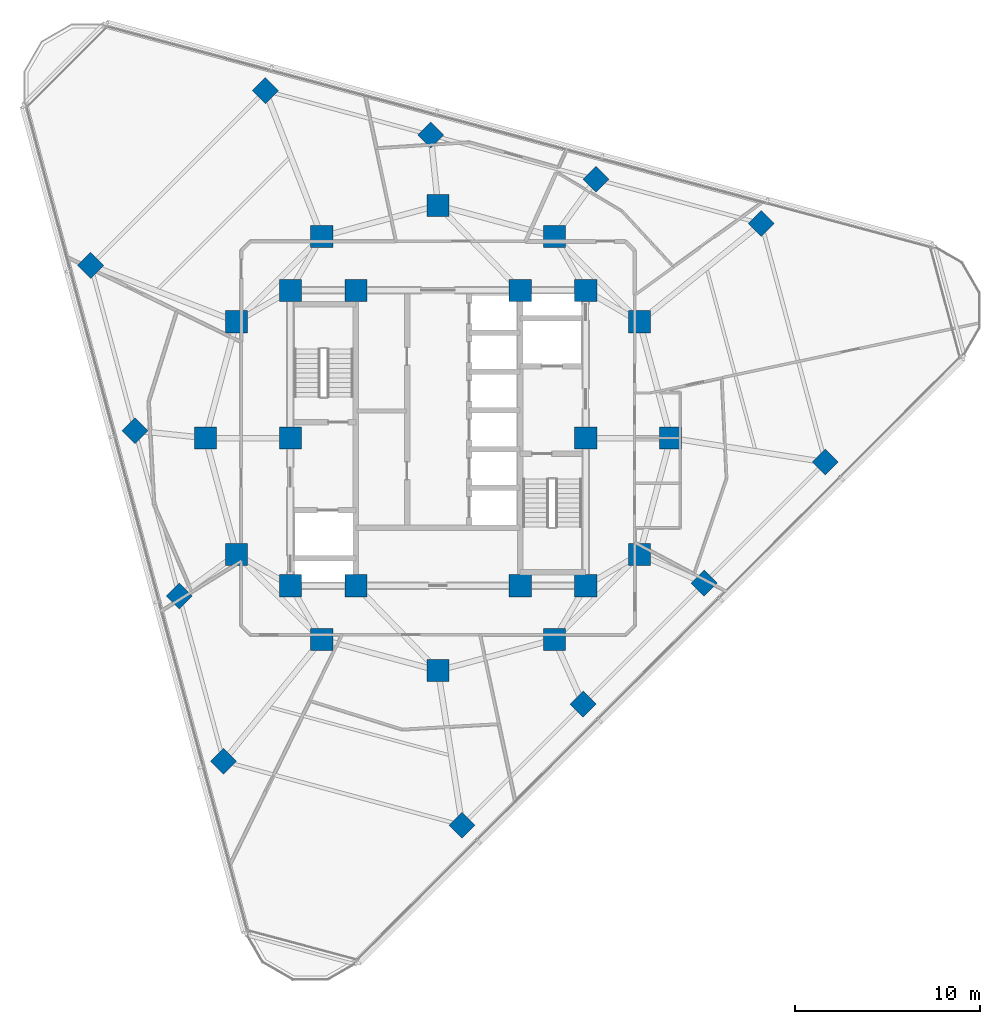
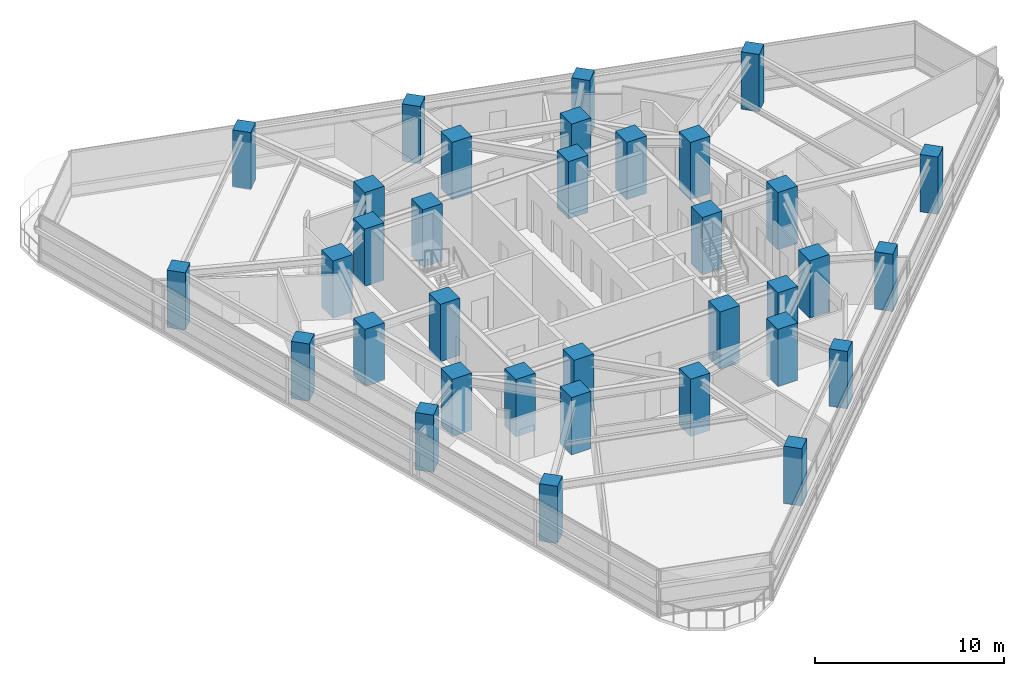
# One storey, part 1 of 14: 34 columns.
"""IFC4 building model written with IfcOpenShell, lengths in metres."""

from ifc_helpers import new_model, si_unit, direction, frame, origin, origin_2d, place, context, subcontext, project, spatial, rectangle, extrude, material, material_profile, profile_set, type_object, element, save


model = new_model("IFC4")

# Units and contexts
model_context = context("Model", 3, precision=1e-05, world=origin(), true_north=direction((0.0, 1.0)))
body_context = subcontext(model_context, "Body", "Model", "MODEL_VIEW")
ifc_project = project(units=[si_unit("LENGTHUNIT", "METRE"), si_unit("AREAUNIT", "SQUARE_METRE"), si_unit("VOLUMEUNIT", "CUBIC_METRE"), si_unit("PLANEANGLEUNIT", "RADIAN"), si_unit("MASSUNIT", "GRAM", prefix="KILO")], contexts=[model_context])

# Site, building, storey
site_placement = place(None, origin())
site = spatial("IfcSite", under=ifc_project, at=site_placement, CompositionType="ELEMENT")
building_placement = place(site_placement, origin())
building = spatial("IfcBuilding", under=site, at=building_placement, Name="Terralouvre Media Tower", CompositionType="ELEMENT")
storey_placement = place(building_placement, frame((0.0, 0.0, 187.89990234375)))
storey = spatial("IfcBuildingStorey", under=building, at=storey_placement, Name="L48", CompositionType="ELEMENT", Elevation=187.89990234375)

# Columns
ifc_material_1 = material(Name="Concrete C50/60", Category="concrete")
ifc_material_profile_1 = material_profile(ifc_material_1, rectangle(XDim=1.0, YDim=1.0, at=origin_2d()), Name="RC 1000x1000")
ifc_profile_set_1 = profile_set([ifc_material_profile_1], Name="Concrete C50/60")
column_type_1 = type_object("IfcColumnType", Name="Structural Column C-RC1000 (RC 1000x1000)", PredefinedType="COLUMN", material=ifc_profile_set_1)
for number, where, z_axis, x_axis, name in (
    (1, (1.3046875, -20.973388671875, 0.0), (0.0, 0.0, 1.0), (0.707106781187, 0.707106781187, 0.0), "L48 Perimeter Mega-Column PC11"),
    (2, (7.86083984375, -14.417236328125, 0.0), (0.0, 0.0, 1.0), (0.707106781187, 0.707106781187, 0.0), "L48 Perimeter Mega-Column PC12"),
    (3, (14.417236328125, -7.86083984375, 0.0), (0.0, 0.0, 1.0), (0.707106781187, 0.707106781187, 0.0), "L48 Perimeter Mega-Column PC13"),
    (4, (20.973388671875, -1.3046875, 0.0), (0.0, 0.0, 1.0), (0.707106781187, 0.707106781187, 0.0), "L48 Perimeter Mega-Column PC14"),
    (5, (17.51123046875, 11.616455078125, 0.0), (0.0, 0.0, 1.0), (0.707106781187, 0.707106781187, 0.0), "L48 Perimeter Mega-Column PC21"),
    (6, (8.55517578125, 14.016357421875, 0.0), (0.0, 0.0, 1.0), (0.707106781187, 0.707106781187, 0.0), "L48 Perimeter Mega-Column PC22"),
    (7, (-0.40087890625, 16.416015625, 0.0), (0.0, 0.0, 1.0), (0.707106781187, 0.707106781187, 0.0), "L48 Perimeter Mega-Column PC23"),
    (8, (-9.35693359375, 18.81591796875, 0.0), (0.0, 0.0, 1.0), (0.707106781187, 0.707106781187, 0.0), "L48 Perimeter Mega-Column PC24"),
    (9, (-18.81591796875, 9.35693359375, 0.0), (0.0, 0.0, 1.0), (0.707106781187, 0.707106781187, 0.0), "L48 Perimeter Mega-Column PC31"),
    (10, (-16.416015625, 0.40087890625, 0.0), (0.0, 0.0, 1.0), (0.707106781187, 0.707106781187, 0.0), "L48 Perimeter Mega-Column PC32"),
    (11, (-14.016357421875, -8.55517578125, 0.0), (0.0, 0.0, 1.0), (0.707106781187, 0.707106781187, 0.0), "L48 Perimeter Mega-Column PC33"),
    (12, (-11.616455078125, -17.51123046875, 0.0), (0.0, 0.0, 1.0), (0.707106781187, 0.707106781187, 0.0), "L48 Perimeter Mega-Column PC34"),
):
    element("IfcColumn", number, at=place(storey_placement, frame(where, z_axis=z_axis, x_axis=x_axis)), inside=storey, type_object=column_type_1, Name=name, PredefinedType="COLUMN", context=body_context, shape_type="SweptSolid", body=[
        extrude(rectangle(XDim=1.0, YDim=1.0, at=origin_2d()), origin(), (0.0, 0.0, 1.0), 3.7001953125),
    ])
ifc_material_2 = material(Name="Concrete C60/75", Category="concrete")
ifc_material_profile_2 = material_profile(ifc_material_2, rectangle(XDim=1.199951171875, YDim=1.199951171875, at=origin_2d()), Name="RC 1200x1200")
ifc_profile_set_2 = profile_set([ifc_material_profile_2], Name="Concrete C60/75")
column_type_2 = type_object("IfcColumnType", Name="Structural Column C-RC1200 (RC 1200x1200)", PredefinedType="COLUMN", material=ifc_profile_set_2)
for number, where, z_axis, x_axis, name in (
    (13, (-8.0, -8.0, 0.0), (0.0, 0.0, 1.0), (1.0, 0.0, 0.0), "L48 Core Pilaster Column CP1"),
    (14, (-4.449951171875, -8.0, 0.0), (0.0, 0.0, 1.0), (1.0, 0.0, 0.0), "L48 Core Pilaster Column CP2"),
    (15, (4.449951171875, -8.0, 0.0), (0.0, 0.0, 1.0), (1.0, 0.0, 0.0), "L48 Core Pilaster Column CP10"),
    (16, (8.0, -8.0, 0.0), (0.0, 0.0, 1.0), (1.0, 0.0, 0.0), "L48 Core Pilaster Column CP3"),
    (17, (8.0, 0.0, 0.0), (0.0, 0.0, 1.0), (1.0, 0.0, 0.0), "L48 Core Pilaster Column CP4"),
    (18, (8.0, 8.0, 0.0), (0.0, 0.0, 1.0), (1.0, 0.0, 0.0), "L48 Core Pilaster Column CP5"),
    (19, (4.449951171875, 8.0, 0.0), (0.0, 0.0, 1.0), (1.0, 0.0, 0.0), "L48 Core Pilaster Column CP9"),
    (20, (-4.449951171875, 8.0, 0.0), (0.0, 0.0, 1.0), (1.0, 0.0, 0.0), "L48 Core Pilaster Column CP6"),
    (21, (-8.0, 8.0, 0.0), (0.0, 0.0, 1.0), (1.0, 0.0, 0.0), "L48 Core Pilaster Column CP7"),
    (22, (-8.0, 0.0, 0.0), (0.0, 0.0, 1.0), (1.0, 0.0, 0.0), "L48 Core Pilaster Column CP8"),
    (23, (12.60009765625, 0.0, 0.0), (0.0, 0.0, 1.0), (1.0, 0.0, 0.0), "L48 Mega-Frame Column MC01"),
    (24, (10.911865234375, 6.300048828125, 0.0), (0.0, 0.0, 1.0), (1.0, 0.0, 0.0), "L48 Mega-Frame Column MC02"),
    (25, (6.300048828125, 10.911865234375, 0.0), (0.0, 0.0, 1.0), (1.0, 0.0, 0.0), "L48 Mega-Frame Column MC03"),
    (26, (0.0, 12.60009765625, 0.0), (0.0, 0.0, 1.0), (1.0, 0.0, 0.0), "L48 Mega-Frame Column MC04"),
    (27, (-6.300048828125, 10.911865234375, 0.0), (0.0, 0.0, 1.0), (1.0, 0.0, 0.0), "L48 Mega-Frame Column MC05"),
    (28, (-10.911865234375, 6.300048828125, 0.0), (0.0, 0.0, 1.0), (1.0, 0.0, 0.0), "L48 Mega-Frame Column MC06"),
    (29, (-12.60009765625, 0.0, 0.0), (0.0, 0.0, 1.0), (1.0, 0.0, 0.0), "L48 Mega-Frame Column MC07"),
    (30, (-10.911865234375, -6.300048828125, 0.0), (0.0, 0.0, 1.0), (1.0, 0.0, 0.0), "L48 Mega-Frame Column MC08"),
    (31, (-6.300048828125, -10.911865234375, 0.0), (0.0, 0.0, 1.0), (1.0, 0.0, 0.0), "L48 Mega-Frame Column MC09"),
    (32, (0.0, -12.60009765625, 0.0), (0.0, 0.0, 1.0), (1.0, 0.0, 0.0), "L48 Mega-Frame Column MC10"),
    (33, (6.300048828125, -10.911865234375, 0.0), (0.0, 0.0, 1.0), (1.0, 0.0, 0.0), "L48 Mega-Frame Column MC11"),
    (34, (10.911865234375, -6.300048828125, 0.0), (0.0, 0.0, 1.0), (1.0, 0.0, 0.0), "L48 Mega-Frame Column MC12"),
):
    element("IfcColumn", number, at=place(storey_placement, frame(where, z_axis=z_axis, x_axis=x_axis)), inside=storey, type_object=column_type_2, Name=name, PredefinedType="COLUMN", context=body_context, shape_type="SweptSolid", body=[
        extrude(rectangle(XDim=1.199951171875, YDim=1.199951171875, at=origin_2d()), origin(), (0.0, 0.0, 1.0), 3.7001953125),
    ])

save(model, "model.ifc")
